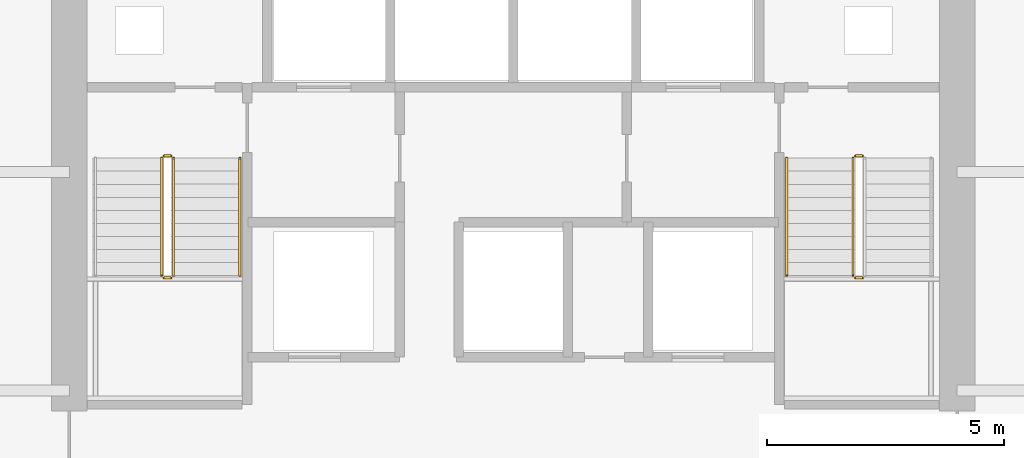
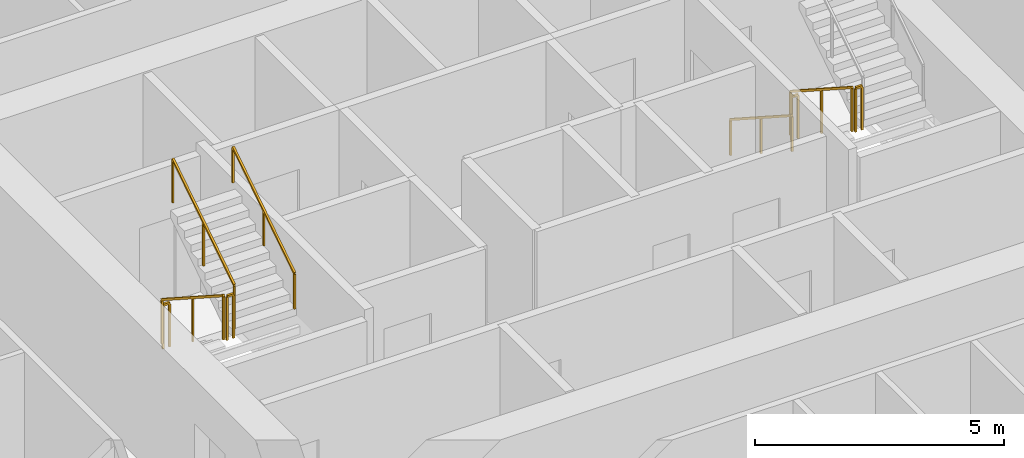
# One storey, part 11 of 12: 9 railings.
"""IFC4 building model written with IfcOpenShell, lengths in metres."""

from ifc_helpers import new_model, si_unit, direction, frame, origin, origin_2d, place, context, subcontext, project, spatial, rectangle, extrude, material, type_object, element, save


model = new_model("IFC4")

# Units and contexts
model_context = context("Model", 3, precision=1e-05, world=origin(), true_north=direction((0.0, 1.0)))
body_context = subcontext(model_context, "Body", "Model", "MODEL_VIEW")
ifc_project = project(units=[si_unit("LENGTHUNIT", "METRE"), si_unit("AREAUNIT", "SQUARE_METRE"), si_unit("VOLUMEUNIT", "CUBIC_METRE"), si_unit("PLANEANGLEUNIT", "RADIAN"), si_unit("MASSUNIT", "GRAM", prefix="KILO")], contexts=[model_context])

# Site, building, storey
site_placement = place(None, origin())
site = spatial("IfcSite", under=ifc_project, at=site_placement, CompositionType="ELEMENT")
building_placement = place(site_placement, origin())
building = spatial("IfcBuilding", under=site, at=building_placement, Name="Cinnabar Lancet Tower", CompositionType="ELEMENT")
storey_placement = place(building_placement, frame((0.0, 0.0, 126.800048828125)))
storey = spatial("IfcBuildingStorey", under=building, at=storey_placement, Name="L33", CompositionType="ELEMENT", Elevation=126.800048828125)

# Railings
ifc_material_1 = material(Name="Painted galvanized steel balustrade", Category="steel")
railing_type_1 = type_object("IfcRailingType", Name="GUARD-STAIR", PredefinedType="GUARDRAIL", material=ifc_material_1)
railing_1_placement = place(storey_placement, frame((24.97509765625, 28.39990234375, 0.177490234375)))
element("IfcRailing", 1, at=railing_1_placement, inside=storey, type_object=railing_type_1, Name="L33 ST-1 stair guard 1", PredefinedType="GUARDRAIL", context=body_context, shape_type="SweptSolid", body=[
    extrude(rectangle(XDim=0.048095703125, YDim=0.048095703125, at=origin_2d()), frame((0.0, 0.0, 1.076171875), z_axis=(0.0, -0.840183358697, 0.542302428327), x_axis=(1.0, 0.0, 0.0)), (0.0, 0.0, 1.0), 2.945556640625),
    extrude(rectangle(XDim=0.0419921875, YDim=0.0419921875, at=origin_2d()), origin(), (0.0, 0.0, 1.0), 1.052001953125),
    extrude(rectangle(XDim=0.0419921875, YDim=0.0419921875, at=origin_2d()), frame((0.0, -1.2373046875, 0.798828125)), (0.0, 0.0, 1.0), 1.052001953125),
    extrude(rectangle(XDim=0.0419921875, YDim=0.0419921875, at=origin_2d()), frame((0.0, -2.474853515625, 1.597412109375)), (0.0, 0.0, 1.0), 1.052001953125),
])
railing_2_placement = place(storey_placement, frame((25.02490234375, 25.875, 1.77490234375)))
element("IfcRailing", 2, at=railing_2_placement, inside=storey, type_object=railing_type_1, Name="L33 ST-1 stair guard 2", PredefinedType="GUARDRAIL", context=body_context, shape_type="SweptSolid", body=[
    extrude(rectangle(XDim=0.048095703125, YDim=0.048095703125, at=origin_2d()), frame((0.0, 0.0, 1.076171875), z_axis=(1.0, 0.0, 0.0), x_axis=(0.0, 1.0, 0.0)), (0.0, 0.0, 1.0), 0.150146484375),
    extrude(rectangle(XDim=0.0419921875, YDim=0.0419921875, at=origin_2d()), origin(), (0.0, 0.0, 1.0), 1.052001953125),
    extrude(rectangle(XDim=0.0419921875, YDim=0.0419921875, at=origin_2d()), frame((0.150146484375, 0.0, 0.0)), (0.0, 0.0, 1.0), 1.052001953125),
])
railing_3_placement = place(storey_placement, frame((25.22509765625, 25.925048828125, 1.952392578125)))
element("IfcRailing", 3, at=railing_3_placement, inside=storey, type_object=railing_type_1, Name="L33 ST-1 stair guard 3", PredefinedType="GUARDRAIL", context=body_context, shape_type="SweptSolid", body=[
    extrude(rectangle(XDim=0.048095703125, YDim=0.048095703125, at=origin_2d()), frame((0.0, 0.0, 1.076171875), z_axis=(0.0, 0.84014559416, 0.542360932049), x_axis=(-1.0, 0.0, 0.0)), (0.0, 0.0, 1.0), 2.94580078125),
    extrude(rectangle(XDim=0.0419921875, YDim=0.0419921875, at=origin_2d()), origin(), (0.0, 0.0, 1.0), 1.052001953125),
    extrude(rectangle(XDim=0.0419921875, YDim=0.0419921875, at=origin_2d()), frame((0.0, 1.2373046875, 0.798828125)), (0.0, 0.0, 1.0), 1.052001953125),
    extrude(rectangle(XDim=0.0419921875, YDim=0.0419921875, at=origin_2d()), frame((0.0, 2.474853515625, 1.59765625)), (0.0, 0.0, 1.0), 1.052001953125),
])
railing_4_placement = place(storey_placement, frame((25.02490234375, 28.449951171875, 0.0)))
element("IfcRailing", 4, at=railing_4_placement, inside=storey, type_object=railing_type_1, Name="L33 ST-1 stair guard 4", PredefinedType="GUARDRAIL", context=body_context, shape_type="SweptSolid", body=[
    extrude(rectangle(XDim=0.048095703125, YDim=0.048095703125, at=origin_2d()), frame((0.0, 0.0, 1.076171875), z_axis=(1.0, 0.0, 0.0), x_axis=(0.0, 1.0, 0.0)), (0.0, 0.0, 1.0), 0.150146484375),
    extrude(rectangle(XDim=0.0419921875, YDim=0.0419921875, at=origin_2d()), origin(), (0.0, 0.0, 1.0), 1.052001953125),
    extrude(rectangle(XDim=0.0419921875, YDim=0.0419921875, at=origin_2d()), frame((0.150146484375, 0.0, 0.0)), (0.0, 0.0, 1.0), 1.052001953125),
])
railing_5_placement = place(storey_placement, frame((39.574951171875, 28.39990234375, 0.177490234375)))
element("IfcRailing", 5, at=railing_5_placement, inside=storey, type_object=railing_type_1, Name="L33 ST-2 stair guard 1", PredefinedType="GUARDRAIL", context=body_context, shape_type="SweptSolid", body=[
    extrude(rectangle(XDim=0.048095703125, YDim=0.048095703125, at=origin_2d()), frame((0.0, 0.0, 1.076171875), z_axis=(0.0, -0.840183358697, 0.542302428327), x_axis=(1.0, 0.0, 0.0)), (0.0, 0.0, 1.0), 2.945556640625),
    extrude(rectangle(XDim=0.0419921875, YDim=0.0419921875, at=origin_2d()), origin(), (0.0, 0.0, 1.0), 1.052001953125),
    extrude(rectangle(XDim=0.0419921875, YDim=0.0419921875, at=origin_2d()), frame((0.0, -1.2373046875, 0.798828125)), (0.0, 0.0, 1.0), 1.052001953125),
    extrude(rectangle(XDim=0.0419921875, YDim=0.0419921875, at=origin_2d()), frame((0.0, -2.474853515625, 1.597412109375)), (0.0, 0.0, 1.0), 1.052001953125),
])
for number, where, name in (
    (6, (39.625, 25.875, 1.77490234375), "L33 ST-2 stair guard 2"),
    (7, (39.625, 28.449951171875, 0.0), "L33 ST-2 stair guard 4"),
):
    element("IfcRailing", number, at=place(storey_placement, frame(where)), inside=storey, type_object=railing_type_1, Name=name, PredefinedType="GUARDRAIL", context=body_context, shape_type="SweptSolid", body=[
        extrude(rectangle(XDim=0.048095703125, YDim=0.048095703125, at=origin_2d()), frame((0.0, 0.0, 1.076171875), z_axis=(1.0, 0.0, 0.0), x_axis=(0.0, 1.0, 0.0)), (0.0, 0.0, 1.0), 0.14990234375),
        extrude(rectangle(XDim=0.0419921875, YDim=0.0419921875, at=origin_2d()), origin(), (0.0, 0.0, 1.0), 1.052001953125),
        extrude(rectangle(XDim=0.0419921875, YDim=0.0419921875, at=origin_2d()), frame((0.14990234375, 0.0, 0.0)), (0.0, 0.0, 1.0), 1.052001953125),
    ])
ifc_material_2 = material(Name="Brushed stainless steel handrail", Category="steel")
railing_type_2 = type_object("IfcRailingType", Name="HANDRAIL-STAIR", PredefinedType="HANDRAIL", material=ifc_material_2)
railing_6_placement = place(storey_placement, frame((26.625, 25.925048828125, 1.952392578125)))
element("IfcRailing", 8, at=railing_6_placement, inside=storey, type_object=railing_type_2, Name="L33 ST-1 stair handrail 2", PredefinedType="HANDRAIL", context=body_context, shape_type="SweptSolid", body=[
    extrude(rectangle(XDim=0.048095703125, YDim=0.048095703125, at=origin_2d()), frame((0.0, 0.0, 0.8759765625), z_axis=(0.0, 0.84014559416, 0.542360932049), x_axis=(-1.0, 0.0, 0.0)), (0.0, 0.0, 1.0), 2.94580078125),
    extrude(rectangle(XDim=0.0419921875, YDim=0.0419921875, at=origin_2d()), origin(), (0.0, 0.0, 1.0), 0.851806640625),
    extrude(rectangle(XDim=0.0419921875, YDim=0.0419921875, at=origin_2d()), frame((0.0, 1.2373046875, 0.798828125)), (0.0, 0.0, 1.0), 0.851806640625),
    extrude(rectangle(XDim=0.0419921875, YDim=0.0419921875, at=origin_2d()), frame((0.0, 2.474853515625, 1.59765625)), (0.0, 0.0, 1.0), 0.851806640625),
])
railing_7_placement = place(storey_placement, frame((38.175048828125, 28.39990234375, 0.177490234375)))
element("IfcRailing", 9, at=railing_7_placement, inside=storey, type_object=railing_type_2, Name="L33 ST-2 stair handrail 1", PredefinedType="HANDRAIL", context=body_context, shape_type="SweptSolid", body=[
    extrude(rectangle(XDim=0.048095703125, YDim=0.048095703125, at=origin_2d()), frame((0.0, 0.0, 0.8759765625), z_axis=(0.0, -0.840183358697, 0.542302428327), x_axis=(1.0, 0.0, 0.0)), (0.0, 0.0, 1.0), 2.945556640625),
    extrude(rectangle(XDim=0.0419921875, YDim=0.0419921875, at=origin_2d()), origin(), (0.0, 0.0, 1.0), 0.851806640625),
    extrude(rectangle(XDim=0.0419921875, YDim=0.0419921875, at=origin_2d()), frame((0.0, -1.2373046875, 0.798828125)), (0.0, 0.0, 1.0), 0.851806640625),
    extrude(rectangle(XDim=0.0419921875, YDim=0.0419921875, at=origin_2d()), frame((0.0, -2.474853515625, 1.597412109375)), (0.0, 0.0, 1.0), 0.851806640625),
])

save(model, "model.ifc")
